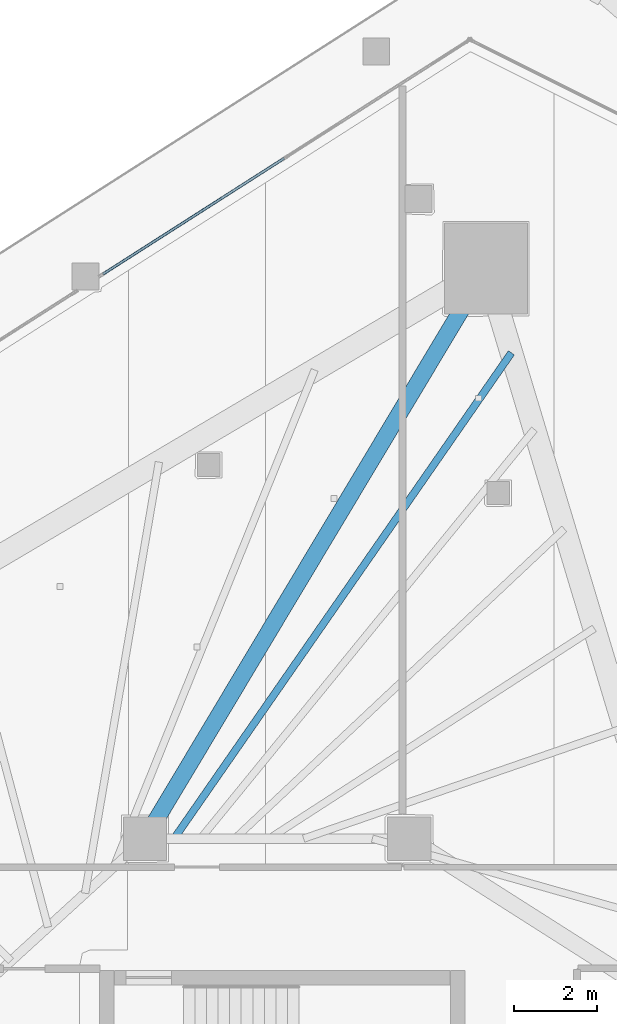
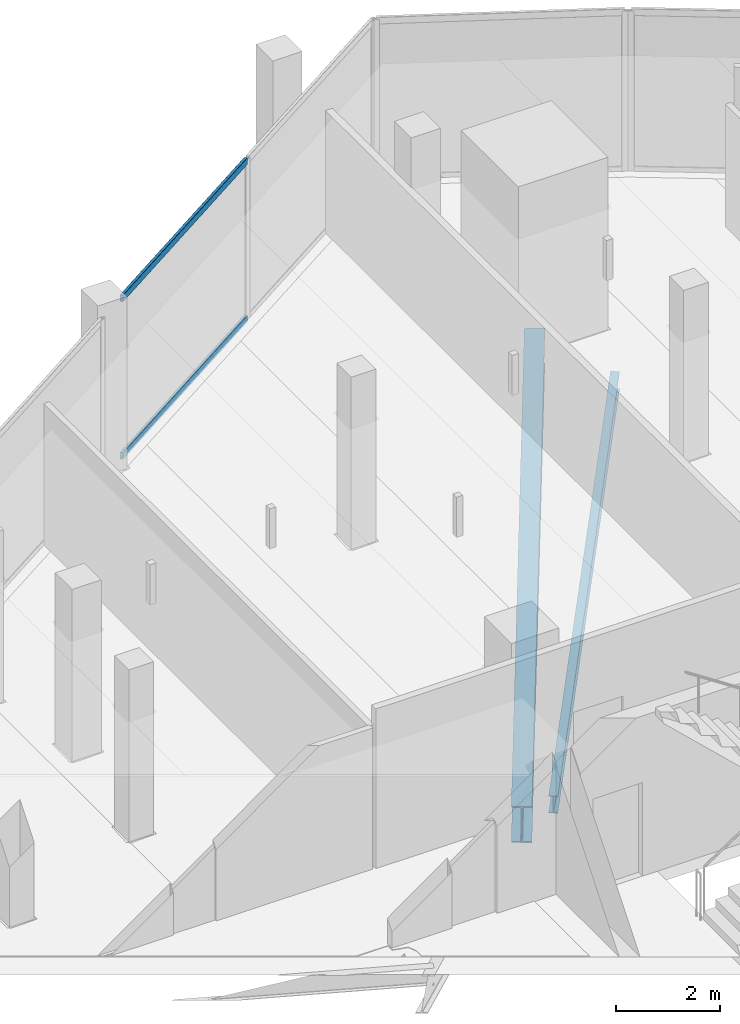
# One storey, part 21 of 42: 2 beams, 2 members, 1 element without a shape of its own.
"""IFC4 building model written with IfcOpenShell, lengths in metres."""

from ifc_helpers import new_model, si_unit, direction, frame, origin, origin_2d, place, context, subcontext, project, spatial, hollow_rectangle, i_section, extrude, material, layer, layer_set, material_profile, profile_set, type_object, element, aggregate, save


model = new_model("IFC4")

# Units and contexts
model_context = context("Model", 3, precision=1e-05, world=origin(), true_north=direction((0.0, 1.0)))
body_context = subcontext(model_context, "Body", "Model", "MODEL_VIEW")
ifc_project = project(units=[si_unit("LENGTHUNIT", "METRE"), si_unit("AREAUNIT", "SQUARE_METRE"), si_unit("VOLUMEUNIT", "CUBIC_METRE"), si_unit("PLANEANGLEUNIT", "RADIAN"), si_unit("MASSUNIT", "GRAM", prefix="KILO")], contexts=[model_context])

# Site, building, storey
site_placement = place(None, origin())
site = spatial("IfcSite", under=ifc_project, at=site_placement, CompositionType="ELEMENT")
building_placement = place(site_placement, origin())
building = spatial("IfcBuilding", under=site, at=building_placement, Name="Qorvath Tower", CompositionType="ELEMENT")
storey_placement = place(building_placement, frame((0.0, 0.0, 121.949951171875)))
storey = spatial("IfcBuildingStorey", under=building, at=storey_placement, Name="L27", CompositionType="ELEMENT", Elevation=121.949951171875)

# Beams
ifc_material_1 = material(Name="Steel ASTM A992 Grade 50", Category="steel")
ifc_material_profile_1 = material_profile(ifc_material_1, i_section(OverallWidth=0.39892578125, OverallDepth=0.85498046875, WebThickness=0.018310546875, FlangeThickness=0.029296875, FilletRadius=0.02001953125, at=origin_2d()), Name="W33x201")
ifc_profile_set_1 = profile_set([ifc_material_profile_1], Name="Steel ASTM A992 Grade 50")
beam_type_1 = type_object("IfcBeamType", Name="BM-FG2", PredefinedType="BEAM", material=ifc_profile_set_1)
beam_1_placement = place(storey_placement, frame((-23.60009765625, 11.449951171875, -0.70751953125), z_axis=(0.513497213955, 0.85809126045, 0.0), x_axis=(-0.85809126045, 0.513497213955, 0.0)))
element("IfcBeam", 1, at=beam_1_placement, inside=storey, type_object=beam_type_1, Name="Radial Floor Girder CC1-MC6 L27", PredefinedType="BEAM", context=body_context, shape_type="SweptSolid", body=[
    extrude(i_section(OverallWidth=0.39892578125, OverallDepth=0.85498046875, WebThickness=0.018310546875, FlangeThickness=0.029296875, FilletRadius=0.02001953125, at=origin_2d()), origin(), (0.0, 0.0, 1.0), 16.07763671875),
])
ifc_material_2 = material(Name="Steel ASTM A992 Grade 50", Category="steel")
ifc_material_profile_2 = material_profile(ifc_material_2, i_section(OverallWidth=0.177978515625, OverallDepth=0.406005859375, WebThickness=0.0078125, FlangeThickness=0.0126953125, FilletRadius=0.010986328125, at=origin_2d()), Name="W16x40")
ifc_profile_set_2 = profile_set([ifc_material_profile_2], Name="Steel ASTM A992 Grade 50")
beam_type_2 = type_object("IfcBeamType", Name="BM-FJ3", PredefinedType="JOIST", material=ifc_profile_set_2)
beam_2_placement = place(storey_placement, frame((-22.89599609375, 11.449951171875, -0.483154296875), z_axis=(0.570366725248, 0.821390162304, 0.0), x_axis=(-0.821390162304, 0.570366725248, 0.0)))
element("IfcBeam", 2, at=beam_2_placement, inside=storey, type_object=beam_type_2, Name="Composite Floor Joist NE7 L27", PredefinedType="JOIST", context=body_context, shape_type="SweptSolid", body=[
    extrude(i_section(OverallWidth=0.177978515625, OverallDepth=0.406005859375, WebThickness=0.0078125, FlangeThickness=0.0126953125, FilletRadius=0.010986328125, at=origin_2d()), origin(), (0.0, 0.0, 1.0), 14.3154296875),
])

# Curtain wall, members
ifc_material_3 = material(Name="Anodised aluminium and triple low-E glass", Category="aluminium")
ifc_layer = layer(ifc_material_3, 0.179931640625)
ifc_layer_set = layer_set([ifc_layer], Name="CW-SYS-2")
curtain_wall_type = type_object("IfcCurtainWallType", Name="CW-SYS-2", PredefinedType="NOTDEFINED", material=ifc_layer_set)
curtain_wall_placement = place(storey_placement, origin())
curtain_wall = element("IfcCurtainWall", 3, at=curtain_wall_placement, inside=storey, type_object=curtain_wall_type, Name="Curtain Wall CW-2 CW-T-L27-16.1", PredefinedType="NOTDEFINED")
ifc_material_4 = material(Name="Anodised aluminium 6063-T6", Category="aluminium")
ifc_material_profile_3 = material_profile(ifc_material_4, hollow_rectangle(XDim=0.06494140625, YDim=0.159912109375, WallThickness=0.00341796875, InnerFilletRadius=0.00341796875, OuterFilletRadius=0.007080078125, at=origin_2d()), Name="CWT 160x65")
ifc_profile_set_3 = profile_set([ifc_material_profile_3], Name="Anodised aluminium 6063-T6")
member_type = type_object("IfcMemberType", Name="CWT-160", PredefinedType="USERDEFINED", material=ifc_profile_set_3)
member_1_placement = place(storey_placement, frame((-20.2294921875, 27.91796875, 0.032470703125), z_axis=(-0.842602796166, -0.538535540047, 0.0), x_axis=(0.538535540047, -0.842602796166, 0.0)))
member_1 = element("IfcMember", 4, at=member_1_placement, type_object=member_type, Name="CW-2 transom 2.1", ObjectType="TRANSOM", PredefinedType="USERDEFINED", context=body_context, shape_type="SweptSolid", body=[
    extrude(hollow_rectangle(XDim=0.06494140625, YDim=0.159912109375, WallThickness=0.00341796875, InnerFilletRadius=0.00341796875, OuterFilletRadius=0.007080078125, at=origin_2d()), origin(), (0.0, 0.0, 1.0), 5.2021484375),
])
member_2_placement = place(storey_placement, frame((-20.2294921875, 27.91796875, 3.737548828125), z_axis=(-0.842602796166, -0.538535540047, 0.0), x_axis=(0.538535540047, -0.842602796166, 0.0)))
member_2 = element("IfcMember", 5, at=member_2_placement, type_object=member_type, Name="CW-2 transom 2.2", ObjectType="TRANSOM", PredefinedType="USERDEFINED", context=body_context, shape_type="SweptSolid", body=[
    extrude(hollow_rectangle(XDim=0.06494140625, YDim=0.159912109375, WallThickness=0.00341796875, InnerFilletRadius=0.00341796875, OuterFilletRadius=0.007080078125, at=origin_2d()), origin(), (0.0, 0.0, 1.0), 5.2021484375),
])
aggregate(curtain_wall, [member_1, member_2])

save(model, "model.ifc")
